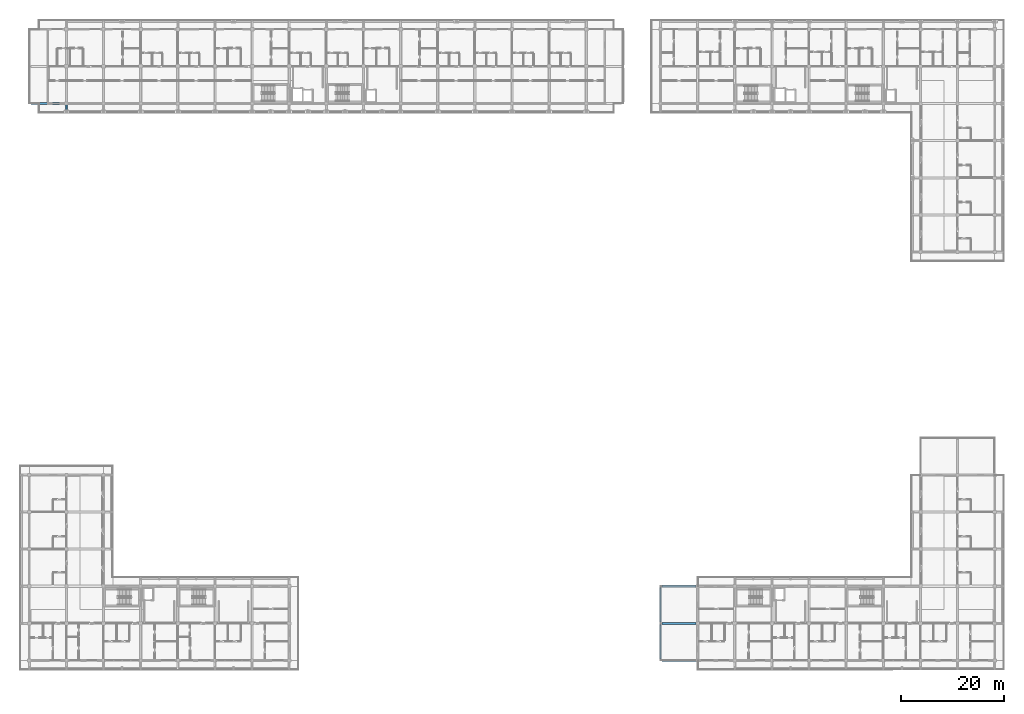
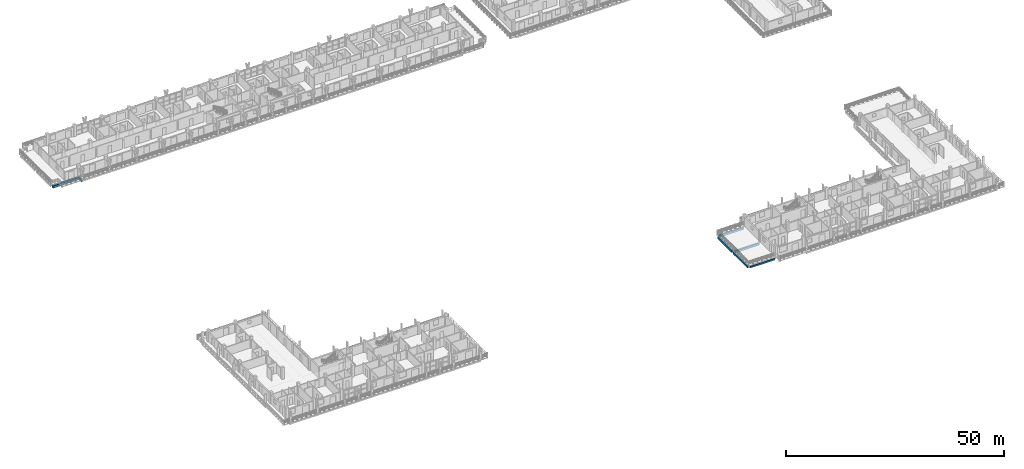
# One storey, part 8 of 75: 7 beams.
"""IFC4 building model written with IfcOpenShell, lengths in metres."""

from ifc_helpers import new_model, si_unit, direction, frame, origin, origin_2d, place, context, subcontext, project, spatial, rectangle, extrude, material, material_profile, profile_set, type_object, element, save


model = new_model("IFC4")

# Units and contexts
model_context = context("Model", 3, precision=1e-05, world=origin(), true_north=direction((0.0, 1.0)))
body_context = subcontext(model_context, "Body", "Model", "MODEL_VIEW")
ifc_project = project(units=[si_unit("LENGTHUNIT", "METRE"), si_unit("AREAUNIT", "SQUARE_METRE"), si_unit("VOLUMEUNIT", "CUBIC_METRE"), si_unit("PLANEANGLEUNIT", "RADIAN"), si_unit("MASSUNIT", "GRAM", prefix="KILO")], contexts=[model_context])

# Site, building, storey
site_placement = place(None, origin())
site = spatial("IfcSite", under=ifc_project, at=site_placement, CompositionType="ELEMENT")
building_placement = place(site_placement, origin())
building = spatial("IfcBuilding", under=site, at=building_placement, Name="Suanplinth Sawtooth Commons", CompositionType="ELEMENT")
storey_placement = place(building_placement, frame((0.0, 0.0, 18.60009765625)))
storey = spatial("IfcBuildingStorey", under=building, at=storey_placement, Name="L05", CompositionType="ELEMENT", Elevation=18.60009765625)

# Beams
ifc_material = material(Name="Precast concrete C40/50", Category="concrete")
ifc_material_profile_1 = material_profile(ifc_material, rectangle(XDim=0.449951171875, YDim=0.64990234375, at=origin_2d()), Name="PC-GDR 450x650")
ifc_profile_set_1 = profile_set([ifc_material_profile_1], Name="Precast concrete C40/50")
beam_type_1 = type_object("IfcBeamType", Name="B-04", PredefinedType="USERDEFINED", material=ifc_profile_set_1)
beam_1_placement = place(storey_placement, frame((0.324951171875, 108.0, -0.5751953125), z_axis=(1.0, 0.0, 0.0), x_axis=(0.0, 1.0, 0.0)))
element("IfcBeam", 1, at=beam_1_placement, inside=storey, type_object=beam_type_1, Name="BMX-L05-A-0-15", ObjectType="GIRDER", PredefinedType="USERDEFINED", context=body_context, shape_type="SweptSolid", body=[
    extrude(rectangle(XDim=0.449951171875, YDim=0.64990234375, at=origin_2d()), origin(), (0.0, 0.0, 1.0), 6.550048828125),
])
ifc_material_profile_2 = material_profile(ifc_material, rectangle(XDim=0.39990234375, YDim=0.60009765625, at=origin_2d()), Name="PC-GDR 400x600")
ifc_profile_set_2 = profile_set([ifc_material_profile_2], Name="Precast concrete C40/50")
beam_type_2 = type_object("IfcBeamType", Name="B-05", PredefinedType="USERDEFINED", material=ifc_profile_set_2)
for number, where, z_axis, x_axis, name in (
    (2, (122.699951171875, 7.199951171875, -0.550048828125), (1.0, 0.0, 0.0), (0.0, 1.0, 0.0), "BMX-L05-C-17-1"),
    (3, (122.699951171875, 14.39990234375, -0.550048828125), (1.0, 0.0, 0.0), (0.0, 1.0, 0.0), "BMX-L05-C-17-2"),
):
    element("IfcBeam", number, at=place(storey_placement, frame(where, z_axis=z_axis, x_axis=x_axis)), inside=storey, type_object=beam_type_2, Name=name, ObjectType="GIRDER", PredefinedType="USERDEFINED", context=body_context, shape_type="SweptSolid", body=[
        extrude(rectangle(XDim=0.39990234375, YDim=0.60009765625, at=origin_2d()), origin(), (0.0, 0.0, 1.0), 6.60009765625),
    ])
ifc_material_profile_3 = material_profile(ifc_material, rectangle(XDim=0.35009765625, YDim=0.550048828125, at=origin_2d()), Name="PC-BM 350x550")
ifc_profile_set_3 = profile_set([ifc_material_profile_3], Name="Precast concrete C40/50")
beam_type_3 = type_object("IfcBeamType", Name="B-06", PredefinedType="BEAM", material=ifc_profile_set_3)
beam_2_placement = place(storey_placement, frame((122.39990234375, 0.300048828125, -0.525146484375), z_axis=(0.0, 1.0, 0.0), x_axis=(-1.0, 0.0, 0.0)))
element("IfcBeam", 4, at=beam_2_placement, inside=storey, type_object=beam_type_3, Name="BMY-L05-C-17-0", PredefinedType="BEAM", context=body_context, shape_type="SweptSolid", body=[
    extrude(rectangle(XDim=0.35009765625, YDim=0.550048828125, at=origin_2d()), origin(), (0.0, 0.0, 1.0), 6.599853515625),
])
beam_3_placement = place(storey_placement, frame((122.39990234375, 7.5, -0.525146484375), z_axis=(0.0, 1.0, 0.0), x_axis=(-1.0, 0.0, 0.0)))
element("IfcBeam", 5, at=beam_3_placement, inside=storey, type_object=beam_type_3, Name="BMY-L05-C-17-1", PredefinedType="BEAM", context=body_context, shape_type="SweptSolid", body=[
    extrude(rectangle(XDim=0.35009765625, YDim=0.550048828125, at=origin_2d()), origin(), (0.0, 0.0, 1.0), 6.60009765625),
])
ifc_material_profile_4 = material_profile(ifc_material, rectangle(XDim=0.300048828125, YDim=0.5, at=origin_2d()), Name="PC-BM 300x500")
ifc_profile_set_4 = profile_set([ifc_material_profile_4], Name="Precast concrete C40/50")
beam_type_4 = type_object("IfcBeamType", Name="B-07", PredefinedType="BEAM", material=ifc_profile_set_4)
beam_4_placement = place(storey_placement, frame((7.199951171875, 108.0, -0.43017578125), z_axis=(0.0, -1.0, 0.0), x_axis=(1.0, 0.0, 0.0)))
element("IfcBeam", 6, at=beam_4_placement, inside=storey, type_object=beam_type_4, Name="Balcony Outrigger L05-A-S-1", PredefinedType="BEAM", context=body_context, shape_type="SweptSolid", body=[
    extrude(rectangle(XDim=0.300048828125, YDim=0.5, at=origin_2d()), origin(), (0.0, 0.0, 1.0), 1.639892578125),
])
ifc_material_profile_5 = material_profile(ifc_material, rectangle(XDim=0.25, YDim=0.449951171875, at=origin_2d()), Name="PC-SP 250x450")
ifc_profile_set_5 = profile_set([ifc_material_profile_5], Name="Precast concrete C40/50")
beam_type_5 = type_object("IfcBeamType", Name="B-09", PredefinedType="SPANDREL", material=ifc_profile_set_5)
beam_5_placement = place(storey_placement, frame((122.699951171875, 0.0, -0.47509765625), z_axis=(1.0, 0.0, 0.0), x_axis=(0.0, 1.0, 0.0)))
element("IfcBeam", 7, at=beam_5_placement, inside=storey, type_object=beam_type_5, Name="BMX-L05-C-17-0", PredefinedType="SPANDREL", context=body_context, shape_type="SweptSolid", body=[
    extrude(rectangle(XDim=0.25, YDim=0.449951171875, at=origin_2d()), origin(), (0.0, 0.0, 1.0), 6.60009765625),
])

save(model, "model.ifc")
